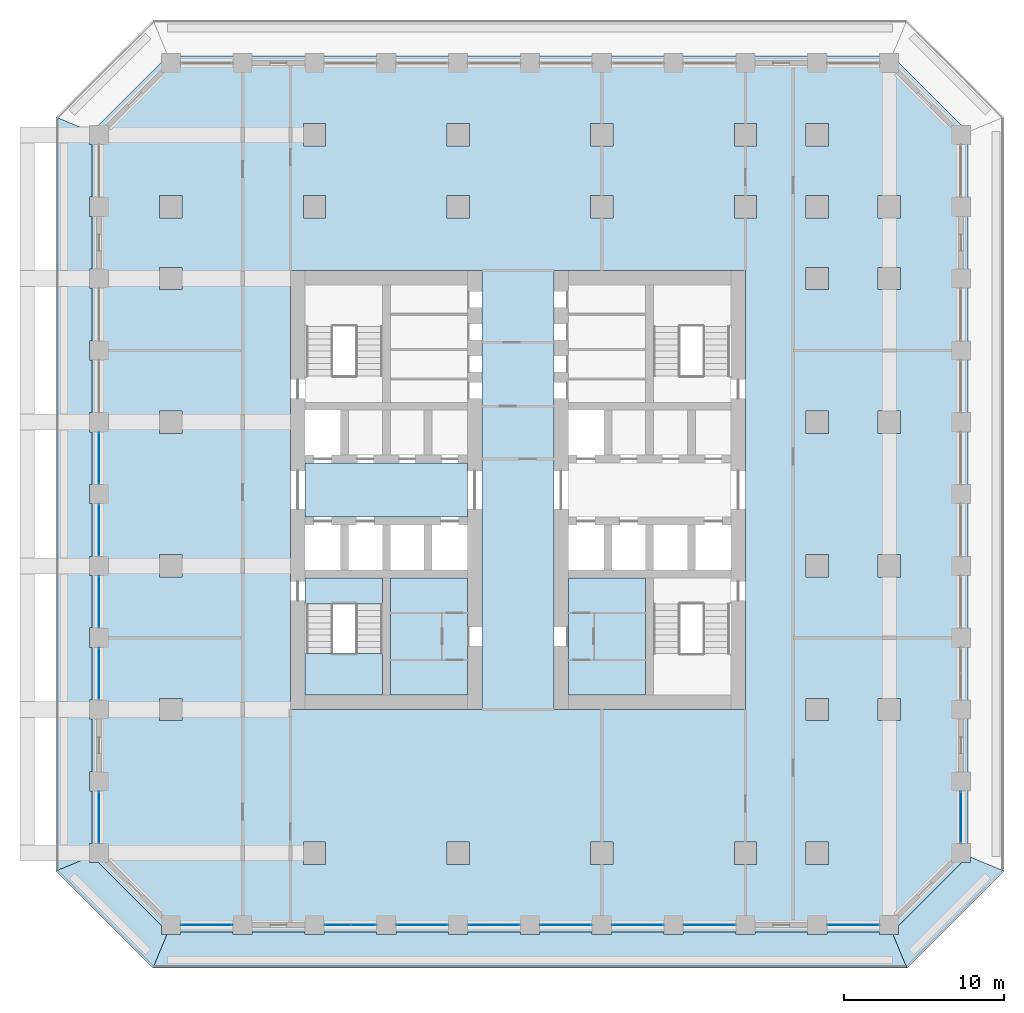
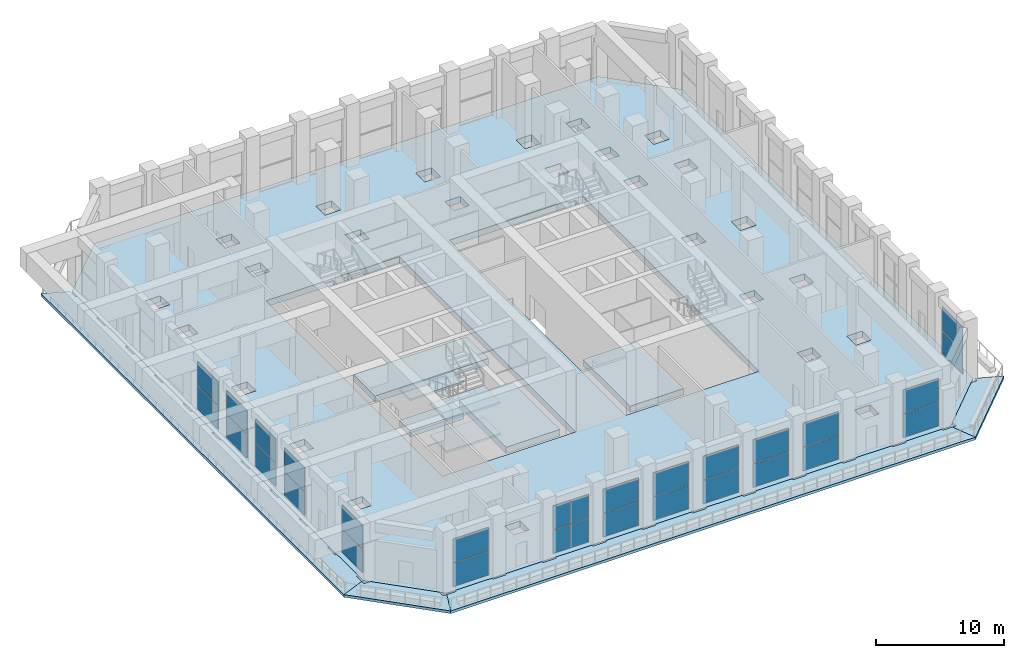
# One storey, part 10 of 24: 30 plates, 12 slabs, 15 elements without a shape of their own.
"""IFC4 building model written with IfcOpenShell, lengths in metres."""

from ifc_helpers import new_model, si_unit, direction, frame, origin, origin_2d, place, context, subcontext, project, spatial, polyline, rectangle, outline, extrude, material, layer, layer_set, type_object, element, aggregate, save


model = new_model("IFC4")

# Units and contexts
model_context = context("Model", 3, precision=1e-05, world=origin(), true_north=direction((0.0, 1.0)))
body_context = subcontext(model_context, "Body", "Model", "MODEL_VIEW")
ifc_project = project(units=[si_unit("LENGTHUNIT", "METRE"), si_unit("AREAUNIT", "SQUARE_METRE"), si_unit("VOLUMEUNIT", "CUBIC_METRE"), si_unit("PLANEANGLEUNIT", "RADIAN"), si_unit("MASSUNIT", "GRAM", prefix="KILO")], contexts=[model_context])

# Site, building, storey
site_placement = place(None, origin())
site = spatial("IfcSite", under=ifc_project, at=site_placement, CompositionType="ELEMENT")
building_placement = place(site_placement, origin())
building = spatial("IfcBuilding", under=site, at=building_placement, Name="Corbel Stack Research Tower", CompositionType="ELEMENT")
storey_placement = place(building_placement, frame((0.0, 0.0, 110.699951171875)))
storey = spatial("IfcBuildingStorey", under=building, at=storey_placement, Name="L25", CompositionType="ELEMENT", Elevation=110.699951171875)

# Curtain wall, plates
ifc_material_1 = material(Name="Aluminium frame, clear glass", Category="aluminium")
curtain_wall_type = type_object("IfcCurtainWallType", Name="Amenity floor curtain wall CW2", PredefinedType="NOTDEFINED", material=ifc_material_1)
curtain_wall_1_placement = place(storey_placement, origin())
curtain_wall_1 = element("IfcCurtainWall", 1, at=curtain_wall_1_placement, inside=storey, type_object=curtain_wall_type, Name="Curtain wall CW2 L25 S01", PredefinedType="NOTDEFINED")
ifc_material_2 = material(Name="Clear glass", Category="glass")
ifc_layer_1 = layer(ifc_material_2, 0.028076171875)
ifc_layer_set_1 = layer_set([ifc_layer_1], Name="Clear glass")
plate_type = type_object("IfcPlateType", Name="Clear glazing 28", PredefinedType="CURTAIN_PANEL", material=ifc_layer_set_1)
plate_1_placement = place(storey_placement, frame((-15.75, -22.5, 0.06005859375), z_axis=(0.0, 0.0, 1.0), x_axis=(1.0, 0.0, 0.0)))
plate_1 = element("IfcPlate", 2, at=plate_1_placement, type_object=plate_type, Name="CW2 L25 S01 panel 1.1", PredefinedType="CURTAIN_PANEL", context=body_context, shape_type="SweptSolid", body=[
    extrude(rectangle(XDim=3.179931640625, YDim=0.028076171875, at=origin_2d()), origin(), (0.0, 0.0, 1.0), 2.2099609375),
])
plate_2_placement = place(storey_placement, frame((-15.75, -22.5, 2.330078125), z_axis=(0.0, 0.0, 1.0), x_axis=(1.0, 0.0, 0.0)))
plate_2 = element("IfcPlate", 3, at=plate_2_placement, type_object=plate_type, Name="CW2 L25 S01 panel 1.2", PredefinedType="CURTAIN_PANEL", context=body_context, shape_type="SweptSolid", body=[
    extrude(rectangle(XDim=3.179931640625, YDim=0.028076171875, at=origin_2d()), origin(), (0.0, 0.0, 1.0), 2.260009765625),
])
aggregate(curtain_wall_1, [plate_1, plate_2])

curtain_wall_2_placement = place(storey_placement, origin())
curtain_wall_2 = element("IfcCurtainWall", 4, at=curtain_wall_2_placement, inside=storey, type_object=curtain_wall_type, Name="Curtain wall CW2 L25 S03", PredefinedType="NOTDEFINED")
plate_3_placement = place(storey_placement, frame((-7.56005859375, -22.5, 0.06005859375), z_axis=(0.0, 0.0, 1.0), x_axis=(1.0, 0.0, 0.0)))
plate_3 = element("IfcPlate", 5, at=plate_3_placement, type_object=plate_type, Name="CW2 L25 S03 panel 1.1", PredefinedType="CURTAIN_PANEL", context=body_context, shape_type="SweptSolid", body=[
    extrude(rectangle(XDim=1.56005859375, YDim=0.028076171875, at=origin_2d()), origin(), (0.0, 0.0, 1.0), 2.2099609375),
])
plate_4_placement = place(storey_placement, frame((-7.56005859375, -22.5, 2.330078125), z_axis=(0.0, 0.0, 1.0), x_axis=(1.0, 0.0, 0.0)))
plate_4 = element("IfcPlate", 6, at=plate_4_placement, type_object=plate_type, Name="CW2 L25 S03 panel 1.2", PredefinedType="CURTAIN_PANEL", context=body_context, shape_type="SweptSolid", body=[
    extrude(rectangle(XDim=1.56005859375, YDim=0.028076171875, at=origin_2d()), origin(), (0.0, 0.0, 1.0), 2.260009765625),
])
plate_5_placement = place(storey_placement, frame((-5.93994140625, -22.5, 0.06005859375), z_axis=(0.0, 0.0, 1.0), x_axis=(1.0, 0.0, 0.0)))
plate_5 = element("IfcPlate", 7, at=plate_5_placement, type_object=plate_type, Name="CW2 L25 S03 panel 2.1", PredefinedType="CURTAIN_PANEL", context=body_context, shape_type="SweptSolid", body=[
    extrude(rectangle(XDim=1.56005859375, YDim=0.028076171875, at=origin_2d()), origin(), (0.0, 0.0, 1.0), 2.2099609375),
])
plate_6_placement = place(storey_placement, frame((-5.93994140625, -22.5, 2.330078125), z_axis=(0.0, 0.0, 1.0), x_axis=(1.0, 0.0, 0.0)))
plate_6 = element("IfcPlate", 8, at=plate_6_placement, type_object=plate_type, Name="CW2 L25 S03 panel 2.2", PredefinedType="CURTAIN_PANEL", context=body_context, shape_type="SweptSolid", body=[
    extrude(rectangle(XDim=1.56005859375, YDim=0.028076171875, at=origin_2d()), origin(), (0.0, 0.0, 1.0), 2.260009765625),
])
aggregate(curtain_wall_2, [plate_3, plate_4, plate_5, plate_6])

curtain_wall_3_placement = place(storey_placement, origin())
curtain_wall_3 = element("IfcCurtainWall", 9, at=curtain_wall_3_placement, inside=storey, type_object=curtain_wall_type, Name="Curtain wall CW2 L25 S04", PredefinedType="NOTDEFINED")
plate_7_placement = place(storey_placement, frame((-2.25, -22.5, 0.06005859375), z_axis=(0.0, 0.0, 1.0), x_axis=(1.0, 0.0, 0.0)))
plate_7 = element("IfcPlate", 10, at=plate_7_placement, type_object=plate_type, Name="CW2 L25 S04 panel 1.1", PredefinedType="CURTAIN_PANEL", context=body_context, shape_type="SweptSolid", body=[
    extrude(rectangle(XDim=3.179931640625, YDim=0.028076171875, at=origin_2d()), origin(), (0.0, 0.0, 1.0), 2.2099609375),
])
plate_8_placement = place(storey_placement, frame((-2.25, -22.5, 2.330078125), z_axis=(0.0, 0.0, 1.0), x_axis=(1.0, 0.0, 0.0)))
plate_8 = element("IfcPlate", 11, at=plate_8_placement, type_object=plate_type, Name="CW2 L25 S04 panel 1.2", PredefinedType="CURTAIN_PANEL", context=body_context, shape_type="SweptSolid", body=[
    extrude(rectangle(XDim=3.179931640625, YDim=0.028076171875, at=origin_2d()), origin(), (0.0, 0.0, 1.0), 2.260009765625),
])
aggregate(curtain_wall_3, [plate_7, plate_8])

curtain_wall_4_placement = place(storey_placement, origin())
curtain_wall_4 = element("IfcCurtainWall", 12, at=curtain_wall_4_placement, inside=storey, type_object=curtain_wall_type, Name="Curtain wall CW2 L25 S05", PredefinedType="NOTDEFINED")
plate_9_placement = place(storey_placement, frame((2.25, -22.5, 0.06005859375), z_axis=(0.0, 0.0, 1.0), x_axis=(1.0, 0.0, 0.0)))
plate_9 = element("IfcPlate", 13, at=plate_9_placement, type_object=plate_type, Name="CW2 L25 S05 panel 1.1", PredefinedType="CURTAIN_PANEL", context=body_context, shape_type="SweptSolid", body=[
    extrude(rectangle(XDim=3.179931640625, YDim=0.028076171875, at=origin_2d()), origin(), (0.0, 0.0, 1.0), 2.2099609375),
])
plate_10_placement = place(storey_placement, frame((2.25, -22.5, 2.330078125), z_axis=(0.0, 0.0, 1.0), x_axis=(1.0, 0.0, 0.0)))
plate_10 = element("IfcPlate", 14, at=plate_10_placement, type_object=plate_type, Name="CW2 L25 S05 panel 1.2", PredefinedType="CURTAIN_PANEL", context=body_context, shape_type="SweptSolid", body=[
    extrude(rectangle(XDim=3.179931640625, YDim=0.028076171875, at=origin_2d()), origin(), (0.0, 0.0, 1.0), 2.260009765625),
])
aggregate(curtain_wall_4, [plate_9, plate_10])

curtain_wall_5_placement = place(storey_placement, origin())
curtain_wall_5 = element("IfcCurtainWall", 15, at=curtain_wall_5_placement, inside=storey, type_object=curtain_wall_type, Name="Curtain wall CW2 L25 S06", PredefinedType="NOTDEFINED")
plate_11_placement = place(storey_placement, frame((6.75, -22.5, 0.06005859375), z_axis=(0.0, 0.0, 1.0), x_axis=(1.0, 0.0, 0.0)))
plate_11 = element("IfcPlate", 16, at=plate_11_placement, type_object=plate_type, Name="CW2 L25 S06 panel 1.1", PredefinedType="CURTAIN_PANEL", context=body_context, shape_type="SweptSolid", body=[
    extrude(rectangle(XDim=3.179931640625, YDim=0.028076171875, at=origin_2d()), origin(), (0.0, 0.0, 1.0), 2.2099609375),
])
plate_12_placement = place(storey_placement, frame((6.75, -22.5, 2.330078125), z_axis=(0.0, 0.0, 1.0), x_axis=(1.0, 0.0, 0.0)))
plate_12 = element("IfcPlate", 17, at=plate_12_placement, type_object=plate_type, Name="CW2 L25 S06 panel 1.2", PredefinedType="CURTAIN_PANEL", context=body_context, shape_type="SweptSolid", body=[
    extrude(rectangle(XDim=3.179931640625, YDim=0.028076171875, at=origin_2d()), origin(), (0.0, 0.0, 1.0), 2.260009765625),
])
aggregate(curtain_wall_5, [plate_11, plate_12])

curtain_wall_6_placement = place(storey_placement, origin())
curtain_wall_6 = element("IfcCurtainWall", 18, at=curtain_wall_6_placement, inside=storey, type_object=curtain_wall_type, Name="Curtain wall CW2 L25 S07", PredefinedType="NOTDEFINED")
plate_13_placement = place(storey_placement, frame((11.25, -22.5, 0.06005859375), z_axis=(0.0, 0.0, 1.0), x_axis=(1.0, 0.0, 0.0)))
plate_13 = element("IfcPlate", 19, at=plate_13_placement, type_object=plate_type, Name="CW2 L25 S07 panel 1.1", PredefinedType="CURTAIN_PANEL", context=body_context, shape_type="SweptSolid", body=[
    extrude(rectangle(XDim=3.179931640625, YDim=0.028076171875, at=origin_2d()), origin(), (0.0, 0.0, 1.0), 2.2099609375),
])
plate_14_placement = place(storey_placement, frame((11.25, -22.5, 2.330078125), z_axis=(0.0, 0.0, 1.0), x_axis=(1.0, 0.0, 0.0)))
plate_14 = element("IfcPlate", 20, at=plate_14_placement, type_object=plate_type, Name="CW2 L25 S07 panel 1.2", PredefinedType="CURTAIN_PANEL", context=body_context, shape_type="SweptSolid", body=[
    extrude(rectangle(XDim=3.179931640625, YDim=0.028076171875, at=origin_2d()), origin(), (0.0, 0.0, 1.0), 2.260009765625),
])
aggregate(curtain_wall_6, [plate_13, plate_14])

curtain_wall_7_placement = place(storey_placement, origin())
curtain_wall_7 = element("IfcCurtainWall", 21, at=curtain_wall_7_placement, inside=storey, type_object=curtain_wall_type, Name="Curtain wall CW2 L25 S08", PredefinedType="NOTDEFINED")
plate_15_placement = place(storey_placement, frame((15.75, -22.5, 0.06005859375), z_axis=(0.0, 0.0, 1.0), x_axis=(1.0, 0.0, 0.0)))
plate_15 = element("IfcPlate", 22, at=plate_15_placement, type_object=plate_type, Name="CW2 L25 S08 panel 1.1", PredefinedType="CURTAIN_PANEL", context=body_context, shape_type="SweptSolid", body=[
    extrude(rectangle(XDim=3.179931640625, YDim=0.028076171875, at=origin_2d()), origin(), (0.0, 0.0, 1.0), 2.2099609375),
])
plate_16_placement = place(storey_placement, frame((15.75, -22.5, 2.330078125), z_axis=(0.0, 0.0, 1.0), x_axis=(1.0, 0.0, 0.0)))
plate_16 = element("IfcPlate", 23, at=plate_16_placement, type_object=plate_type, Name="CW2 L25 S08 panel 1.2", PredefinedType="CURTAIN_PANEL", context=body_context, shape_type="SweptSolid", body=[
    extrude(rectangle(XDim=3.179931640625, YDim=0.028076171875, at=origin_2d()), origin(), (0.0, 0.0, 1.0), 2.260009765625),
])
aggregate(curtain_wall_7, [plate_15, plate_16])

curtain_wall_8_placement = place(storey_placement, origin())
curtain_wall_8 = element("IfcCurtainWall", 24, at=curtain_wall_8_placement, inside=storey, type_object=curtain_wall_type, Name="Curtain wall CW2 L25 S10", PredefinedType="NOTDEFINED")
plate_17_placement = place(storey_placement, frame((24.75, -22.5, 0.06005859375), z_axis=(0.0, 0.0, 1.0), x_axis=(1.0, 0.0, 0.0)))
plate_17 = element("IfcPlate", 25, at=plate_17_placement, type_object=plate_type, Name="CW2 L25 S10 panel 1.1", PredefinedType="CURTAIN_PANEL", context=body_context, shape_type="SweptSolid", body=[
    extrude(rectangle(XDim=3.179931640625, YDim=0.028076171875, at=origin_2d()), origin(), (0.0, 0.0, 1.0), 2.2099609375),
])
plate_18_placement = place(storey_placement, frame((24.75, -22.5, 2.330078125), z_axis=(0.0, 0.0, 1.0), x_axis=(1.0, 0.0, 0.0)))
plate_18 = element("IfcPlate", 26, at=plate_18_placement, type_object=plate_type, Name="CW2 L25 S10 panel 1.2", PredefinedType="CURTAIN_PANEL", context=body_context, shape_type="SweptSolid", body=[
    extrude(rectangle(XDim=3.179931640625, YDim=0.028076171875, at=origin_2d()), origin(), (0.0, 0.0, 1.0), 2.260009765625),
])
aggregate(curtain_wall_8, [plate_17, plate_18])

curtain_wall_9_placement = place(storey_placement, origin())
curtain_wall_9 = element("IfcCurtainWall", 27, at=curtain_wall_9_placement, inside=storey, type_object=curtain_wall_type, Name="Curtain wall CW2 L25 E01", PredefinedType="NOTDEFINED")
plate_19_placement = place(storey_placement, frame((31.5, -15.75, 0.06005859375), z_axis=(0.0, 0.0, 1.0), x_axis=(0.0, 1.0, 0.0)))
plate_19 = element("IfcPlate", 28, at=plate_19_placement, type_object=plate_type, Name="CW2 L25 E01 panel 1.1", PredefinedType="CURTAIN_PANEL", context=body_context, shape_type="SweptSolid", body=[
    extrude(rectangle(XDim=3.179931640625, YDim=0.028076171875, at=origin_2d()), origin(), (0.0, 0.0, 1.0), 2.2099609375),
])
plate_20_placement = place(storey_placement, frame((31.5, -15.75, 2.330078125), z_axis=(0.0, 0.0, 1.0), x_axis=(0.0, 1.0, 0.0)))
plate_20 = element("IfcPlate", 29, at=plate_20_placement, type_object=plate_type, Name="CW2 L25 E01 panel 1.2", PredefinedType="CURTAIN_PANEL", context=body_context, shape_type="SweptSolid", body=[
    extrude(rectangle(XDim=3.179931640625, YDim=0.028076171875, at=origin_2d()), origin(), (0.0, 0.0, 1.0), 2.260009765625),
])
aggregate(curtain_wall_9, [plate_19, plate_20])

curtain_wall_10_placement = place(storey_placement, origin())
curtain_wall_10 = element("IfcCurtainWall", 30, at=curtain_wall_10_placement, inside=storey, type_object=curtain_wall_type, Name="Curtain wall CW2 L25 W05", PredefinedType="NOTDEFINED")
plate_21_placement = place(storey_placement, frame((-22.5, 6.75, 0.06005859375), z_axis=(0.0, 0.0, 1.0), x_axis=(0.0, -1.0, 0.0)))
plate_21 = element("IfcPlate", 31, at=plate_21_placement, type_object=plate_type, Name="CW2 L25 W05 panel 1.1", PredefinedType="CURTAIN_PANEL", context=body_context, shape_type="SweptSolid", body=[
    extrude(rectangle(XDim=3.179931640625, YDim=0.028076171875, at=origin_2d()), origin(), (0.0, 0.0, 1.0), 2.2099609375),
])
plate_22_placement = place(storey_placement, frame((-22.5, 6.75, 2.330078125), z_axis=(0.0, 0.0, 1.0), x_axis=(0.0, -1.0, 0.0)))
plate_22 = element("IfcPlate", 32, at=plate_22_placement, type_object=plate_type, Name="CW2 L25 W05 panel 1.2", PredefinedType="CURTAIN_PANEL", context=body_context, shape_type="SweptSolid", body=[
    extrude(rectangle(XDim=3.179931640625, YDim=0.028076171875, at=origin_2d()), origin(), (0.0, 0.0, 1.0), 2.260009765625),
])
aggregate(curtain_wall_10, [plate_21, plate_22])

curtain_wall_11_placement = place(storey_placement, origin())
curtain_wall_11 = element("IfcCurtainWall", 33, at=curtain_wall_11_placement, inside=storey, type_object=curtain_wall_type, Name="Curtain wall CW2 L25 W06", PredefinedType="NOTDEFINED")
plate_23_placement = place(storey_placement, frame((-22.5, 2.25, 0.06005859375), z_axis=(0.0, 0.0, 1.0), x_axis=(0.0, -1.0, 0.0)))
plate_23 = element("IfcPlate", 34, at=plate_23_placement, type_object=plate_type, Name="CW2 L25 W06 panel 1.1", PredefinedType="CURTAIN_PANEL", context=body_context, shape_type="SweptSolid", body=[
    extrude(rectangle(XDim=3.179931640625, YDim=0.028076171875, at=origin_2d()), origin(), (0.0, 0.0, 1.0), 2.2099609375),
])
plate_24_placement = place(storey_placement, frame((-22.5, 2.25, 2.330078125), z_axis=(0.0, 0.0, 1.0), x_axis=(0.0, -1.0, 0.0)))
plate_24 = element("IfcPlate", 35, at=plate_24_placement, type_object=plate_type, Name="CW2 L25 W06 panel 1.2", PredefinedType="CURTAIN_PANEL", context=body_context, shape_type="SweptSolid", body=[
    extrude(rectangle(XDim=3.179931640625, YDim=0.028076171875, at=origin_2d()), origin(), (0.0, 0.0, 1.0), 2.260009765625),
])
aggregate(curtain_wall_11, [plate_23, plate_24])

curtain_wall_12_placement = place(storey_placement, origin())
curtain_wall_12 = element("IfcCurtainWall", 36, at=curtain_wall_12_placement, inside=storey, type_object=curtain_wall_type, Name="Curtain wall CW2 L25 W07", PredefinedType="NOTDEFINED")
plate_25_placement = place(storey_placement, frame((-22.5, -2.25, 0.06005859375), z_axis=(0.0, 0.0, 1.0), x_axis=(0.0, -1.0, 0.0)))
plate_25 = element("IfcPlate", 37, at=plate_25_placement, type_object=plate_type, Name="CW2 L25 W07 panel 1.1", PredefinedType="CURTAIN_PANEL", context=body_context, shape_type="SweptSolid", body=[
    extrude(rectangle(XDim=3.179931640625, YDim=0.028076171875, at=origin_2d()), origin(), (0.0, 0.0, 1.0), 2.2099609375),
])
plate_26_placement = place(storey_placement, frame((-22.5, -2.25, 2.330078125), z_axis=(0.0, 0.0, 1.0), x_axis=(0.0, -1.0, 0.0)))
plate_26 = element("IfcPlate", 38, at=plate_26_placement, type_object=plate_type, Name="CW2 L25 W07 panel 1.2", PredefinedType="CURTAIN_PANEL", context=body_context, shape_type="SweptSolid", body=[
    extrude(rectangle(XDim=3.179931640625, YDim=0.028076171875, at=origin_2d()), origin(), (0.0, 0.0, 1.0), 2.260009765625),
])
aggregate(curtain_wall_12, [plate_25, plate_26])

curtain_wall_13_placement = place(storey_placement, origin())
curtain_wall_13 = element("IfcCurtainWall", 39, at=curtain_wall_13_placement, inside=storey, type_object=curtain_wall_type, Name="Curtain wall CW2 L25 W08", PredefinedType="NOTDEFINED")
plate_27_placement = place(storey_placement, frame((-22.5, -6.75, 0.06005859375), z_axis=(0.0, 0.0, 1.0), x_axis=(0.0, -1.0, 0.0)))
plate_27 = element("IfcPlate", 40, at=plate_27_placement, type_object=plate_type, Name="CW2 L25 W08 panel 1.1", PredefinedType="CURTAIN_PANEL", context=body_context, shape_type="SweptSolid", body=[
    extrude(rectangle(XDim=3.179931640625, YDim=0.028076171875, at=origin_2d()), origin(), (0.0, 0.0, 1.0), 2.2099609375),
])
plate_28_placement = place(storey_placement, frame((-22.5, -6.75, 2.330078125), z_axis=(0.0, 0.0, 1.0), x_axis=(0.0, -1.0, 0.0)))
plate_28 = element("IfcPlate", 41, at=plate_28_placement, type_object=plate_type, Name="CW2 L25 W08 panel 1.2", PredefinedType="CURTAIN_PANEL", context=body_context, shape_type="SweptSolid", body=[
    extrude(rectangle(XDim=3.179931640625, YDim=0.028076171875, at=origin_2d()), origin(), (0.0, 0.0, 1.0), 2.260009765625),
])
aggregate(curtain_wall_13, [plate_27, plate_28])

curtain_wall_14_placement = place(storey_placement, origin())
curtain_wall_14 = element("IfcCurtainWall", 42, at=curtain_wall_14_placement, inside=storey, type_object=curtain_wall_type, Name="Curtain wall CW2 L25 W10", PredefinedType="NOTDEFINED")
plate_29_placement = place(storey_placement, frame((-22.5, -15.75, 0.06005859375), z_axis=(0.0, 0.0, 1.0), x_axis=(0.0, -1.0, 0.0)))
plate_29 = element("IfcPlate", 43, at=plate_29_placement, type_object=plate_type, Name="CW2 L25 W10 panel 1.1", PredefinedType="CURTAIN_PANEL", context=body_context, shape_type="SweptSolid", body=[
    extrude(rectangle(XDim=3.179931640625, YDim=0.028076171875, at=origin_2d()), origin(), (0.0, 0.0, 1.0), 2.2099609375),
])
plate_30_placement = place(storey_placement, frame((-22.5, -15.75, 2.330078125), z_axis=(0.0, 0.0, 1.0), x_axis=(0.0, -1.0, 0.0)))
plate_30 = element("IfcPlate", 44, at=plate_30_placement, type_object=plate_type, Name="CW2 L25 W10 panel 1.2", PredefinedType="CURTAIN_PANEL", context=body_context, shape_type="SweptSolid", body=[
    extrude(rectangle(XDim=3.179931640625, YDim=0.028076171875, at=origin_2d()), origin(), (0.0, 0.0, 1.0), 2.260009765625),
])
aggregate(curtain_wall_14, [plate_29, plate_30])

# Slabs
ifc_material_3 = material(Name="Concrete C45/55", Category="concrete")
ifc_layer_2 = layer(ifc_material_3, 0.25)
ifc_layer_set_2 = layer_set([ifc_layer_2], Name="Concrete C45/55")
slab_type_1 = type_object("IfcSlabType", Name="PT balcony slab 250 C45/55", PredefinedType="FLOOR", material=ifc_layer_set_2)
slab_1_placement = place(storey_placement, frame((0.0, 0.0, -0.25)))
element("IfcSlab", 45, at=slab_1_placement, inside=storey, type_object=slab_type_1, Name="Loggia slab L25 S", PredefinedType="FLOOR", context=body_context, shape_type="SweptSolid", body=[
    extrude(outline(polyline([(27.24853515625, -23.10009765625), (26.39990234375, -23.10009765625), (26.39990234375, -22.949951171875), (23.10009765625, -22.949951171875), (23.10009765625, -23.10009765625), (21.89990234375, -23.10009765625), (21.89990234375, -22.949951171875), (18.60009765625, -22.949951171875), (18.60009765625, -23.10009765625), (17.39990234375, -23.10009765625), (17.39990234375, -22.949951171875), (14.10009765625, -22.949951171875), (14.10009765625, -23.10009765625), (12.89990234375, -23.10009765625), (12.89990234375, -22.949951171875), (9.60009765625, -22.949951171875), (9.60009765625, -23.10009765625), (8.39990234375, -23.10009765625), (8.39990234375, -22.949951171875), (5.10009765625, -22.949951171875), (5.10009765625, -23.10009765625), (3.89990234375, -23.10009765625), (3.89990234375, -22.949951171875), (0.60009765625, -22.949951171875), (0.60009765625, -23.10009765625), (-0.60009765625, -23.10009765625), (-0.60009765625, -22.949951171875), (-3.89990234375, -22.949951171875), (-3.89990234375, -23.10009765625), (-5.10009765625, -23.10009765625), (-5.10009765625, -22.949951171875), (-8.39990234375, -22.949951171875), (-8.39990234375, -23.10009765625), (-9.60009765625, -23.10009765625), (-9.60009765625, -22.949951171875), (-12.89990234375, -22.949951171875), (-12.89990234375, -23.10009765625), (-14.10009765625, -23.10009765625), (-14.10009765625, -22.949951171875), (-17.39990234375, -22.949951171875), (-17.39990234375, -23.10009765625), (-18.24853515625, -23.10009765625), (-19.118408203125, -25.199951171875), (28.118408203125, -25.199951171875), (27.24853515625, -23.10009765625)])), origin(), (0.0, 0.0, 1.0), 0.25),
])
slab_2_placement = place(storey_placement, frame((0.0, 0.0, -0.25)))
element("IfcSlab", 46, at=slab_2_placement, inside=storey, type_object=slab_type_1, Name="Loggia slab L25 SE", PredefinedType="FLOOR", context=body_context, shape_type="SweptSolid", body=[
    extrude(outline(polyline([(32.10009765625, -18.24853515625), (32.10009765625, -18.60009765625), (31.536376953125, -18.60009765625), (27.60009765625, -22.536376953125), (27.60009765625, -23.10009765625), (27.24853515625, -23.10009765625), (28.118408203125, -25.199951171875), (34.199951171875, -19.118408203125), (32.10009765625, -18.24853515625)])), origin(), (0.0, 0.0, 1.0), 0.25),
])
slab_3_placement = place(storey_placement, frame((0.0, 0.0, -0.25)))
element("IfcSlab", 47, at=slab_3_placement, inside=storey, type_object=slab_type_1, Name="Loggia slab L25 W", PredefinedType="FLOOR", context=body_context, shape_type="SweptSolid", body=[
    extrude(outline(polyline([(-23.10009765625, -18.24853515625), (-23.10009765625, -17.39990234375), (-22.949951171875, -17.39990234375), (-22.949951171875, -14.10009765625), (-23.10009765625, -14.10009765625), (-23.10009765625, -12.89990234375), (-22.949951171875, -12.89990234375), (-22.949951171875, -9.60009765625), (-23.10009765625, -9.60009765625), (-23.10009765625, -8.39990234375), (-22.949951171875, -8.39990234375), (-22.949951171875, -5.10009765625), (-23.10009765625, -5.10009765625), (-23.10009765625, -3.89990234375), (-22.949951171875, -3.89990234375), (-22.949951171875, -0.60009765625), (-23.10009765625, -0.60009765625), (-23.10009765625, 0.60009765625), (-22.949951171875, 0.60009765625), (-22.949951171875, 3.89990234375), (-23.10009765625, 3.89990234375), (-23.10009765625, 5.10009765625), (-22.949951171875, 5.10009765625), (-22.949951171875, 8.39990234375), (-23.10009765625, 8.39990234375), (-23.10009765625, 9.60009765625), (-22.949951171875, 9.60009765625), (-22.949951171875, 12.89990234375), (-23.10009765625, 12.89990234375), (-23.10009765625, 14.10009765625), (-22.949951171875, 14.10009765625), (-22.949951171875, 17.39990234375), (-23.10009765625, 17.39990234375), (-23.10009765625, 18.60009765625), (-22.949951171875, 18.60009765625), (-22.949951171875, 21.89990234375), (-23.10009765625, 21.89990234375), (-23.10009765625, 23.10009765625), (-22.949951171875, 23.10009765625), (-22.949951171875, 26.39990234375), (-23.10009765625, 26.39990234375), (-23.10009765625, 27.24853515625), (-25.199951171875, 28.118408203125), (-25.199951171875, -19.118408203125), (-23.10009765625, -18.24853515625)])), origin(), (0.0, 0.0, 1.0), 0.25),
])
slab_4_placement = place(storey_placement, frame((0.0, 0.0, -0.25)))
element("IfcSlab", 48, at=slab_4_placement, inside=storey, type_object=slab_type_1, Name="Loggia slab L25 SW", PredefinedType="FLOOR", context=body_context, shape_type="SweptSolid", body=[
    extrude(outline(polyline([(-18.24853515625, -23.10009765625), (-18.60009765625, -23.10009765625), (-18.60009765625, -22.536376953125), (-22.536376953125, -18.60009765625), (-23.10009765625, -18.60009765625), (-23.10009765625, -18.24853515625), (-25.199951171875, -19.118408203125), (-19.118408203125, -25.199951171875), (-18.24853515625, -23.10009765625)])), origin(), (0.0, 0.0, 1.0), 0.25),
])
ifc_material_4 = material(Name="Concrete C45/55", Category="concrete")
ifc_layer_3 = layer(ifc_material_4, 0.60009765625)
ifc_layer_set_3 = layer_set([ifc_layer_3], Name="Concrete C45/55")
slab_type_2 = type_object("IfcSlabType", Name="PT-600", PredefinedType="FLOOR", material=ifc_layer_set_3)
slab_5_placement = place(storey_placement, frame((0.0, 0.0, -0.599853515625)))
element("IfcSlab", 49, at=slab_5_placement, inside=storey, type_object=slab_type_2, Name="Floor slab L25", PredefinedType="FLOOR", context=body_context, shape_type="SweptSolid", body=[
    extrude(outline(polyline([(-18.186279296875, -22.949951171875), (27.186279296875, -22.949951171875), (31.949951171875, -18.186279296875), (31.949951171875, 27.186279296875), (27.186279296875, 31.949951171875), (-18.186279296875, 31.949951171875), (-22.949951171875, 27.186279296875), (-22.949951171875, -18.186279296875), (-18.186279296875, -22.949951171875)]), holes=[polyline([(26.300048828125, 21.800048828125), (26.300048828125, 23.199951171875), (27.699951171875, 23.199951171875), (27.699951171875, 21.800048828125), (26.300048828125, 21.800048828125)]), polyline([(26.300048828125, -9.699951171875), (26.300048828125, -8.300048828125), (27.699951171875, -8.300048828125), (27.699951171875, -9.699951171875), (26.300048828125, -9.699951171875)]), polyline([(26.300048828125, -0.699951171875), (26.300048828125, 0.699951171875), (27.699951171875, 0.699951171875), (27.699951171875, -0.699951171875), (26.300048828125, -0.699951171875)]), polyline([(26.300048828125, 8.300048828125), (26.300048828125, 9.699951171875), (27.699951171875, 9.699951171875), (27.699951171875, 8.300048828125), (26.300048828125, 8.300048828125)]), polyline([(26.300048828125, 17.300048828125), (26.300048828125, 18.699951171875), (27.699951171875, 18.699951171875), (27.699951171875, 17.300048828125), (26.300048828125, 17.300048828125)]), polyline([(21.800048828125, 26.300048828125), (21.800048828125, 27.699951171875), (23.199951171875, 27.699951171875), (23.199951171875, 26.300048828125), (21.800048828125, 26.300048828125)]), polyline([(21.800048828125, 21.800048828125), (21.800048828125, 23.199951171875), (23.199951171875, 23.199951171875), (23.199951171875, 21.800048828125), (21.800048828125, 21.800048828125)]), polyline([(21.800048828125, 17.300048828125), (21.800048828125, 18.699951171875), (23.199951171875, 18.699951171875), (23.199951171875, 17.300048828125), (21.800048828125, 17.300048828125)]), polyline([(21.800048828125, 8.300048828125), (21.800048828125, 9.699951171875), (23.199951171875, 9.699951171875), (23.199951171875, 8.300048828125), (21.800048828125, 8.300048828125)]), polyline([(21.800048828125, -0.699951171875), (21.800048828125, 0.699951171875), (23.199951171875, 0.699951171875), (23.199951171875, -0.699951171875), (21.800048828125, -0.699951171875)]), polyline([(21.800048828125, -9.699951171875), (21.800048828125, -8.300048828125), (23.199951171875, -8.300048828125), (23.199951171875, -9.699951171875), (21.800048828125, -9.699951171875)]), polyline([(21.800048828125, -18.699951171875), (21.800048828125, -17.300048828125), (23.199951171875, -17.300048828125), (23.199951171875, -18.699951171875), (21.800048828125, -18.699951171875)]), polyline([(17.300048828125, 26.300048828125), (17.300048828125, 27.699951171875), (18.699951171875, 27.699951171875), (18.699951171875, 26.300048828125), (17.300048828125, 26.300048828125)]), polyline([(17.300048828125, 21.800048828125), (17.300048828125, 23.199951171875), (18.699951171875, 23.199951171875), (18.699951171875, 21.800048828125), (17.300048828125, 21.800048828125)]), polyline([(17.300048828125, -18.699951171875), (17.300048828125, -17.300048828125), (18.699951171875, -17.300048828125), (18.699951171875, -18.699951171875), (17.300048828125, -18.699951171875)]), polyline([(6.0, -9.0), (6.0, 18.5), (18.0, 18.5), (18.0, -9.0), (6.0, -9.0)]), polyline([(8.300048828125, 26.300048828125), (8.300048828125, 27.699951171875), (9.699951171875, 27.699951171875), (9.699951171875, 26.300048828125), (8.300048828125, 26.300048828125)]), polyline([(8.300048828125, 21.800048828125), (8.300048828125, 23.199951171875), (9.699951171875, 23.199951171875), (9.699951171875, 21.800048828125), (8.300048828125, 21.800048828125)]), polyline([(8.300048828125, -18.699951171875), (8.300048828125, -17.300048828125), (9.699951171875, -17.300048828125), (9.699951171875, -18.699951171875), (8.300048828125, -18.699951171875)]), polyline([(-10.5, -9.0), (-10.5, 18.5), (1.5, 18.5), (1.5, -9.0), (-10.5, -9.0)]), polyline([(-0.699951171875, 26.300048828125), (-0.699951171875, 27.699951171875), (0.699951171875, 27.699951171875), (0.699951171875, 26.300048828125), (-0.699951171875, 26.300048828125)]), polyline([(-0.699951171875, 21.800048828125), (-0.699951171875, 23.199951171875), (0.699951171875, 23.199951171875), (0.699951171875, 21.800048828125), (-0.699951171875, 21.800048828125)]), polyline([(-0.699951171875, -18.699951171875), (-0.699951171875, -17.300048828125), (0.699951171875, -17.300048828125), (0.699951171875, -18.699951171875), (-0.699951171875, -18.699951171875)]), polyline([(-9.699951171875, 26.300048828125), (-9.699951171875, 27.699951171875), (-8.300048828125, 27.699951171875), (-8.300048828125, 26.300048828125), (-9.699951171875, 26.300048828125)]), polyline([(-9.699951171875, 21.800048828125), (-9.699951171875, 23.199951171875), (-8.300048828125, 23.199951171875), (-8.300048828125, 21.800048828125), (-9.699951171875, 21.800048828125)]), polyline([(-8.300048828125, -18.699951171875), (-9.699951171875, -18.699951171875), (-9.699951171875, -17.300048828125), (-8.300048828125, -17.300048828125), (-8.300048828125, -18.699951171875)]), polyline([(-18.699951171875, 21.800048828125), (-18.699951171875, 23.199951171875), (-17.300048828125, 23.199951171875), (-17.300048828125, 21.800048828125), (-18.699951171875, 21.800048828125)]), polyline([(-18.699951171875, 17.300048828125), (-18.699951171875, 18.699951171875), (-17.300048828125, 18.699951171875), (-17.300048828125, 17.300048828125), (-18.699951171875, 17.300048828125)]), polyline([(-18.699951171875, 8.300048828125), (-18.699951171875, 9.699951171875), (-17.300048828125, 9.699951171875), (-17.300048828125, 8.300048828125), (-18.699951171875, 8.300048828125)]), polyline([(-18.699951171875, -0.699951171875), (-18.699951171875, 0.699951171875), (-17.300048828125, 0.699951171875), (-17.300048828125, -0.699951171875), (-18.699951171875, -0.699951171875)]), polyline([(-18.699951171875, -9.699951171875), (-18.699951171875, -8.300048828125), (-17.300048828125, -8.300048828125), (-17.300048828125, -9.699951171875), (-18.699951171875, -9.699951171875)])]), origin(), (0.0, 0.0, 1.0), 0.599853515625),
])
slab_6_placement = place(storey_placement, frame((0.0, 0.0, -0.599853515625)))
element("IfcSlab", 50, at=slab_6_placement, inside=storey, type_object=slab_type_2, Name="West core floor L25", PredefinedType="FLOOR", context=body_context, shape_type="SweptSolid", body=[
    extrude(outline(polyline([(0.60009765625, 6.449951171875), (-9.60009765625, 6.449951171875), (-9.60009765625, 3.050048828125), (0.60009765625, 3.050048828125), (0.60009765625, 6.449951171875)])), origin(), (0.0, 0.0, 1.0), 0.599853515625),
])
slab_7_placement = place(storey_placement, frame((0.0, 0.0, -0.599853515625)))
element("IfcSlab", 51, at=slab_7_placement, inside=storey, type_object=slab_type_2, Name="West core floor L25", PredefinedType="FLOOR", context=body_context, shape_type="SweptSolid", body=[
    extrude(outline(polyline([(0.60009765625, -8.10009765625), (0.60009765625, -0.75), (-4.25, -0.75), (-4.25, -8.10009765625), (0.60009765625, -8.10009765625)])), origin(), (0.0, 0.0, 1.0), 0.599853515625),
])
slab_8_placement = place(storey_placement, frame((0.0, 0.0, -0.599853515625)))
element("IfcSlab", 52, at=slab_8_placement, inside=storey, type_object=slab_type_2, Name="East core floor L25", PredefinedType="FLOOR", context=body_context, shape_type="SweptSolid", body=[
    extrude(outline(polyline([(11.75, -0.75), (6.89990234375, -0.75), (6.89990234375, -8.10009765625), (11.75, -8.10009765625), (11.75, -0.75)])), origin(), (0.0, 0.0, 1.0), 0.599853515625),
])
slab_9_placement = place(storey_placement, frame((0.0, 0.0, -0.599853515625)))
element("IfcSlab", 53, at=slab_9_placement, inside=storey, type_object=slab_type_2, Name="Stair floor landing ST-W1", PredefinedType="FLOOR", context=body_context, shape_type="SweptSolid", body=[
    extrude(outline(polyline([(-9.60009765625, -2.39990234375), (-4.75, -2.39990234375), (-4.75, -0.75), (-9.60009765625, -0.75), (-9.60009765625, -2.39990234375)])), origin(), (0.0, 0.0, 1.0), 0.599853515625),
])

# Stair, slabs
ifc_material_5 = material(Name="Concrete C40/50", Category="concrete")
stair_type = type_object("IfcStairType", Name="Exit stair 36 risers, 388 going", PredefinedType="HALF_TURN_STAIR", material=ifc_material_5)
stair_placement = place(storey_placement, origin())
stair = element("IfcStair", 54, at=stair_placement, inside=storey, type_object=stair_type, Name="L25 Exit stair ST-W1", PredefinedType="HALF_TURN_STAIR")
ifc_material_6 = material(Name="Concrete C40/50", Category="concrete")
ifc_layer_4 = layer(ifc_material_6, 0.199951171875)
ifc_layer_set_4 = layer_set([ifc_layer_4], Name="Concrete C40/50")
slab_type_3 = type_object("IfcSlabType", Name="Stair landing 200 C40/50", PredefinedType="LANDING", material=ifc_layer_set_4)
slab_10_placement = place(storey_placement, frame((0.0, 0.0, 1.300048828125)))
slab_10 = element("IfcSlab", 55, at=slab_10_placement, type_object=slab_type_3, Name="ST-W1 landing 1", PredefinedType="LANDING", context=body_context, shape_type="SweptSolid", body=[
    extrude(outline(polyline([(-9.60009765625, -8.10009765625), (-9.60009765625, -5.50390625), (-4.75, -5.50390625), (-4.75, -8.10009765625), (-9.60009765625, -8.10009765625)])), origin(), (0.0, 0.0, 1.0), 0.199951171875),
])
slab_11_placement = place(storey_placement, frame((0.0, 0.0, 2.800048828125)))
slab_11 = element("IfcSlab", 56, at=slab_11_placement, type_object=slab_type_3, Name="ST-W1 landing 2", PredefinedType="LANDING", context=body_context, shape_type="SweptSolid", body=[
    extrude(outline(polyline([(-9.60009765625, -2.39990234375), (-9.60009765625, -0.75), (-4.75, -0.75), (-4.75, -2.39990234375), (-9.60009765625, -2.39990234375)])), origin(), (0.0, 0.0, 1.0), 0.199951171875),
])
slab_12_placement = place(storey_placement, frame((0.0, 0.0, 4.300048828125)))
slab_12 = element("IfcSlab", 57, at=slab_12_placement, type_object=slab_type_3, Name="ST-W1 landing 3", PredefinedType="LANDING", context=body_context, shape_type="SweptSolid", body=[
    extrude(outline(polyline([(-9.60009765625, -8.10009765625), (-9.60009765625, -5.50390625), (-4.75, -5.50390625), (-4.75, -8.10009765625), (-9.60009765625, -8.10009765625)])), origin(), (0.0, 0.0, 1.0), 0.199951171875),
])
aggregate(stair, [slab_10, slab_11, slab_12])

save(model, "model.ifc")
